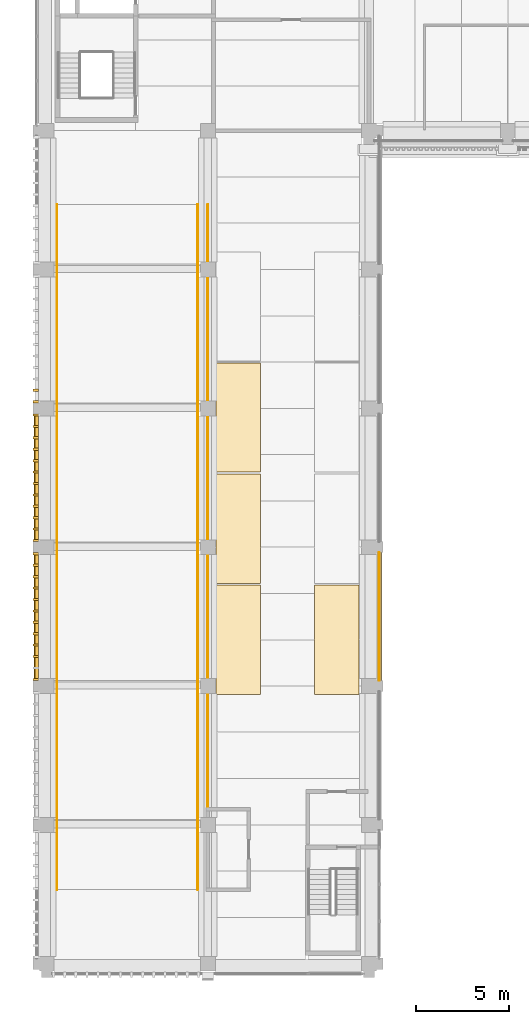
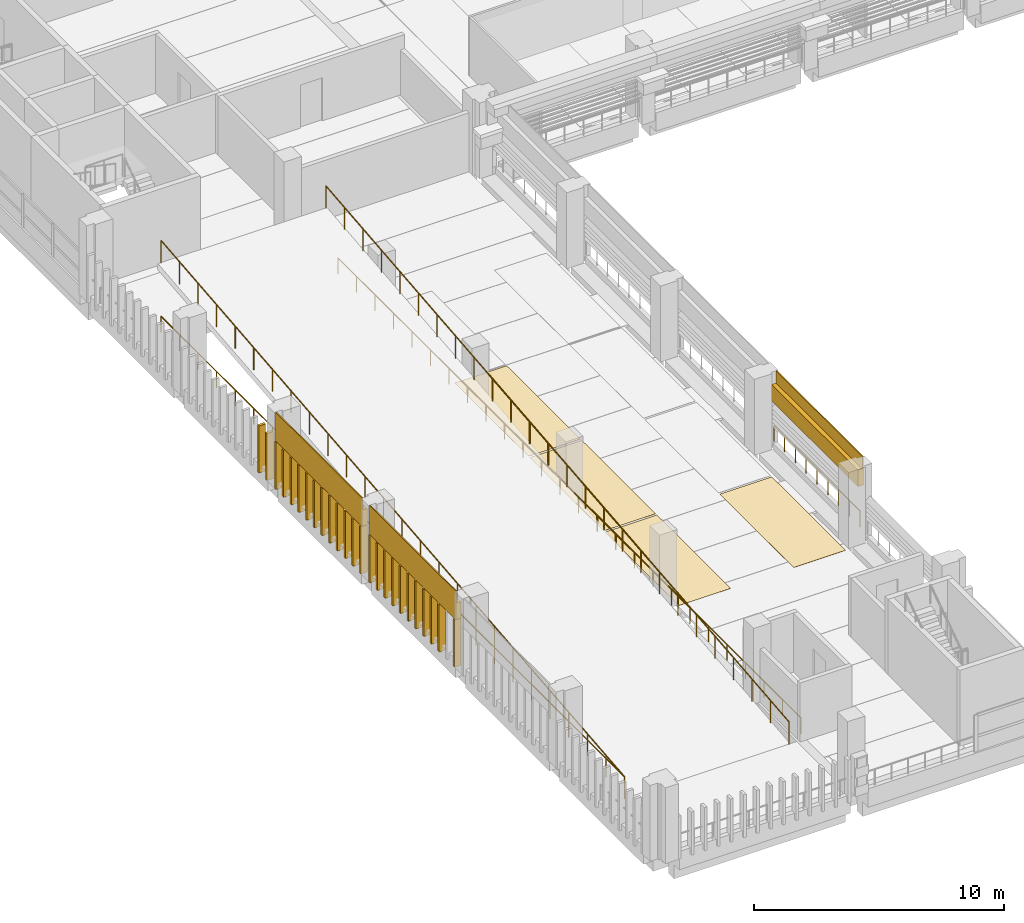
# One storey, part 40 of 71: 32 coverings, 5 railings.
"""IFC4 building model written with IfcOpenShell, lengths in metres."""

from ifc_helpers import new_model, si_unit, direction, frame, origin, origin_2d, place, context, subcontext, project, spatial, polyline, circle, outline, extrude, material, layer, layer_set, type_object, element, save


model = new_model("IFC4")

# Units and contexts
model_context = context("Model", 3, precision=1e-05, world=origin(), true_north=direction((0.0, 1.0)))
body_context = subcontext(model_context, "Body", "Model", "MODEL_VIEW")
ifc_project = project(units=[si_unit("LENGTHUNIT", "METRE"), si_unit("AREAUNIT", "SQUARE_METRE"), si_unit("VOLUMEUNIT", "CUBIC_METRE"), si_unit("PLANEANGLEUNIT", "RADIAN"), si_unit("MASSUNIT", "GRAM", prefix="KILO")], contexts=[model_context])

# Site, building, storey
site_placement = place(None, origin())
site = spatial("IfcSite", under=ifc_project, at=site_placement, CompositionType="ELEMENT")
building_placement = place(site_placement, origin())
building = spatial("IfcBuilding", under=site, at=building_placement, Name="Cour d'Honneur Mobility Palace", CompositionType="ELEMENT")
storey_placement = place(building_placement, frame((0.0, 0.0, 15.60009765625)))
storey = spatial("IfcBuildingStorey", under=building, at=storey_placement, Name="L04", CompositionType="ELEMENT", Elevation=15.60009765625)

# Railing
ifc_material_1 = material(Name="Painted steel", Category="steel")
railing_type_1 = type_object("IfcRailingType", Name="Balustrade", PredefinedType="BALUSTRADE", material=ifc_material_1)
railing_1_placement = place(storey_placement, frame((17.949951171875, 15.300048828125, 0.2998046875)))
element("IfcRailing", 1, at=railing_1_placement, inside=storey, type_object=railing_type_1, Name="Balustrade BAL-200", PredefinedType="BALUSTRADE", context=body_context, shape_type="SweptSolid", body=[
    extrude(circle(Radius=0.02392578125, at=origin_2d()), frame((0.0, 0.0, 0.77587890625), z_axis=(0.0, 1.0, 0.0), x_axis=(-1.0, 0.0, 0.0)), (0.0, 0.0, 1.0), 6.89990234375),
    extrude(circle(Radius=0.02099609375, at=origin_2d()), origin(), (0.0, 0.0, 1.0), 0.751953125),
    extrude(circle(Radius=0.02099609375, at=origin_2d()), frame((0.0, 0.862548828125, 0.0)), (0.0, 0.0, 1.0), 0.751953125),
    extrude(circle(Radius=0.02099609375, at=origin_2d()), frame((0.0, 1.72509765625, 0.0)), (0.0, 0.0, 1.0), 0.751953125),
    extrude(circle(Radius=0.02099609375, at=origin_2d()), frame((0.0, 2.58740234375, 0.0)), (0.0, 0.0, 1.0), 0.751953125),
    extrude(circle(Radius=0.02099609375, at=origin_2d()), frame((0.0, 3.449951171875, 0.0)), (0.0, 0.0, 1.0), 0.751953125),
    extrude(circle(Radius=0.02099609375, at=origin_2d()), frame((0.0, 4.3125, 0.0)), (0.0, 0.0, 1.0), 0.751953125),
    extrude(circle(Radius=0.02099609375, at=origin_2d()), frame((0.0, 5.1748046875, 0.0)), (0.0, 0.0, 1.0), 0.751953125),
    extrude(circle(Radius=0.02099609375, at=origin_2d()), frame((0.0, 6.037353515625, 0.0)), (0.0, 0.0, 1.0), 0.751953125),
    extrude(circle(Radius=0.02099609375, at=origin_2d()), frame((0.0, 6.89990234375, 0.0)), (0.0, 0.0, 1.0), 0.751953125),
])

# Coverings
ifc_material_2 = material(Name="Parking marking paint")
ifc_layer_1 = layer(ifc_material_2, 0.0048828125)
ifc_layer_set_1 = layer_set([ifc_layer_1], Name="Parking marking paint")
covering_type_1 = type_object("IfcCoveringType", Name="Parking bay marking", PredefinedType="FLOORING", material=ifc_layer_set_1)
covering_1_placement = place(storey_placement, origin())
element("IfcCovering", 2, at=covering_1_placement, inside=storey, type_object=covering_type_1, Name="Parking bay marking L04 52", PredefinedType="FLOORING", context=body_context, shape_type="SweptSolid", body=[
    extrude(outline(polyline([(11.550048828125, 14.550048828125), (9.14990234375, 14.550048828125), (9.14990234375, 20.449951171875), (11.550048828125, 20.449951171875), (11.550048828125, 14.550048828125)])), origin(), (0.0, 0.0, 1.0), 0.0048828125),
])
covering_2_placement = place(storey_placement, origin())
element("IfcCovering", 3, at=covering_2_placement, inside=storey, type_object=covering_type_1, Name="Parking bay marking L04 53", PredefinedType="FLOORING", context=body_context, shape_type="SweptSolid", body=[
    extrude(outline(polyline([(11.550048828125, 20.550048828125), (9.14990234375, 20.550048828125), (9.14990234375, 26.449951171875), (11.550048828125, 26.449951171875), (11.550048828125, 20.550048828125)])), origin(), (0.0, 0.0, 1.0), 0.0048828125),
])
covering_3_placement = place(storey_placement, origin())
element("IfcCovering", 4, at=covering_3_placement, inside=storey, type_object=covering_type_1, Name="Parking bay marking L04 54", PredefinedType="FLOORING", context=body_context, shape_type="SweptSolid", body=[
    extrude(outline(polyline([(11.550048828125, 26.550048828125), (9.14990234375, 26.550048828125), (9.14990234375, 32.449951171875), (11.550048828125, 32.449951171875), (11.550048828125, 26.550048828125)])), origin(), (0.0, 0.0, 1.0), 0.0048828125),
])
covering_4_placement = place(storey_placement, origin())
element("IfcCovering", 5, at=covering_4_placement, inside=storey, type_object=covering_type_1, Name="Parking bay marking L04 56", PredefinedType="FLOORING", context=body_context, shape_type="SweptSolid", body=[
    extrude(outline(polyline([(16.85009765625, 14.550048828125), (14.449951171875, 14.550048828125), (14.449951171875, 20.449951171875), (16.85009765625, 20.449951171875), (16.85009765625, 14.550048828125)])), origin(), (0.0, 0.0, 1.0), 0.0048828125),
])

# Railings
ifc_material_3 = material(Name="Painted steel", Category="steel")
railing_type_2 = type_object("IfcRailingType", Name="Ramp guard 1100", PredefinedType="GUARDRAIL", material=ifc_material_3)
railing_2_placement = place(storey_placement, frame((0.550048828125, 4.0, 0.0)))
element("IfcRailing", 6, at=railing_2_placement, inside=storey, type_object=railing_type_2, Name="Ramp guard Ramp West 5", PredefinedType="GUARDRAIL", context=body_context, shape_type="SweptSolid", body=[
    extrude(circle(Radius=0.02490234375, at=origin_2d()), frame((0.0, 0.0, 1.0751953125), z_axis=(0.0, 0.995037320222, 0.099502418892), x_axis=(-1.0, 0.0, 0.0)), (0.0, 0.0, 1.0), 37.1845703125),
    extrude(circle(Radius=0.02099609375, at=origin_2d()), origin(), (0.0, 0.0, 1.0), 1.050048828125),
    extrude(circle(Radius=0.02099609375, at=origin_2d()), frame((0.0, 1.47998046875, 0.14794921875)), (0.0, 0.0, 1.0), 1.050048828125),
    extrude(circle(Radius=0.02099609375, at=origin_2d()), frame((0.0, 2.9599609375, 0.2958984375)), (0.0, 0.0, 1.0), 1.050048828125),
    extrude(circle(Radius=0.02099609375, at=origin_2d()), frame((0.0, 4.43994140625, 0.444091796875)), (0.0, 0.0, 1.0), 1.050048828125),
    extrude(circle(Radius=0.02099609375, at=origin_2d()), frame((0.0, 5.919921875, 0.592041015625)), (0.0, 0.0, 1.0), 1.050048828125),
    extrude(circle(Radius=0.02099609375, at=origin_2d()), frame((0.0, 7.39990234375, 0.739990234375)), (0.0, 0.0, 1.0), 1.050048828125),
    extrude(circle(Radius=0.02099609375, at=origin_2d()), frame((0.0, 8.8798828125, 0.887939453125)), (0.0, 0.0, 1.0), 1.050048828125),
    extrude(circle(Radius=0.02099609375, at=origin_2d()), frame((0.0, 10.360107421875, 1.035888671875)), (0.0, 0.0, 1.0), 1.050048828125),
    extrude(circle(Radius=0.02099609375, at=origin_2d()), frame((0.0, 11.840087890625, 1.18408203125)), (0.0, 0.0, 1.0), 1.050048828125),
    extrude(circle(Radius=0.02099609375, at=origin_2d()), frame((0.0, 13.320068359375, 1.33203125)), (0.0, 0.0, 1.0), 1.050048828125),
    extrude(circle(Radius=0.02099609375, at=origin_2d()), frame((0.0, 14.800048828125, 1.47998046875)), (0.0, 0.0, 1.0), 1.050048828125),
    extrude(circle(Radius=0.02099609375, at=origin_2d()), frame((0.0, 16.280029296875, 1.6279296875)), (0.0, 0.0, 1.0), 1.050048828125),
    extrude(circle(Radius=0.02099609375, at=origin_2d()), frame((0.0, 17.760009765625, 1.77587890625)), (0.0, 0.0, 1.0), 1.050048828125),
    extrude(circle(Radius=0.02099609375, at=origin_2d()), frame((0.0, 19.239990234375, 1.924072265625)), (0.0, 0.0, 1.0), 1.050048828125),
    extrude(circle(Radius=0.02099609375, at=origin_2d()), frame((0.0, 20.719970703125, 2.072021484375)), (0.0, 0.0, 1.0), 1.050048828125),
    extrude(circle(Radius=0.02099609375, at=origin_2d()), frame((0.0, 22.199951171875, 2.219970703125)), (0.0, 0.0, 1.0), 1.050048828125),
    extrude(circle(Radius=0.02099609375, at=origin_2d()), frame((0.0, 23.679931640625, 2.367919921875)), (0.0, 0.0, 1.0), 1.050048828125),
    extrude(circle(Radius=0.02099609375, at=origin_2d()), frame((0.0, 25.159912109375, 2.515869140625)), (0.0, 0.0, 1.0), 1.050048828125),
    extrude(circle(Radius=0.02099609375, at=origin_2d()), frame((0.0, 26.639892578125, 2.6640625)), (0.0, 0.0, 1.0), 1.050048828125),
    extrude(circle(Radius=0.02099609375, at=origin_2d()), frame((0.0, 28.1201171875, 2.81201171875)), (0.0, 0.0, 1.0), 1.050048828125),
    extrude(circle(Radius=0.02099609375, at=origin_2d()), frame((0.0, 29.60009765625, 2.9599609375)), (0.0, 0.0, 1.0), 1.050048828125),
    extrude(circle(Radius=0.02099609375, at=origin_2d()), frame((0.0, 31.080078125, 3.10791015625)), (0.0, 0.0, 1.0), 1.050048828125),
    extrude(circle(Radius=0.02099609375, at=origin_2d()), frame((0.0, 32.56005859375, 3.255859375)), (0.0, 0.0, 1.0), 1.050048828125),
    extrude(circle(Radius=0.02099609375, at=origin_2d()), frame((0.0, 34.0400390625, 3.404052734375)), (0.0, 0.0, 1.0), 1.050048828125),
    extrude(circle(Radius=0.02099609375, at=origin_2d()), frame((0.0, 35.52001953125, 3.552001953125)), (0.0, 0.0, 1.0), 1.050048828125),
    extrude(circle(Radius=0.02099609375, at=origin_2d()), frame((0.0, 37.0, 3.699951171875)), (0.0, 0.0, 1.0), 1.050048828125),
])
railing_3_placement = place(storey_placement, frame((8.14990234375, 4.0, 0.0)))
element("IfcRailing", 7, at=railing_3_placement, inside=storey, type_object=railing_type_2, Name="Ramp guard Ramp West 5", PredefinedType="GUARDRAIL", context=body_context, shape_type="SweptSolid", body=[
    extrude(circle(Radius=0.02490234375, at=origin_2d()), frame((0.0, 0.0, 1.0751953125), z_axis=(0.0, 0.995037320222, 0.099502418892), x_axis=(-1.0, 0.0, 0.0)), (0.0, 0.0, 1.0), 37.1845703125),
    extrude(circle(Radius=0.02099609375, at=origin_2d()), origin(), (0.0, 0.0, 1.0), 1.050048828125),
    extrude(circle(Radius=0.02099609375, at=origin_2d()), frame((0.0, 1.47998046875, 0.14794921875)), (0.0, 0.0, 1.0), 1.050048828125),
    extrude(circle(Radius=0.02099609375, at=origin_2d()), frame((0.0, 2.9599609375, 0.2958984375)), (0.0, 0.0, 1.0), 1.050048828125),
    extrude(circle(Radius=0.02099609375, at=origin_2d()), frame((0.0, 4.43994140625, 0.444091796875)), (0.0, 0.0, 1.0), 1.050048828125),
    extrude(circle(Radius=0.02099609375, at=origin_2d()), frame((0.0, 5.919921875, 0.592041015625)), (0.0, 0.0, 1.0), 1.050048828125),
    extrude(circle(Radius=0.02099609375, at=origin_2d()), frame((0.0, 7.39990234375, 0.739990234375)), (0.0, 0.0, 1.0), 1.050048828125),
    extrude(circle(Radius=0.02099609375, at=origin_2d()), frame((0.0, 8.8798828125, 0.887939453125)), (0.0, 0.0, 1.0), 1.050048828125),
    extrude(circle(Radius=0.02099609375, at=origin_2d()), frame((0.0, 10.360107421875, 1.035888671875)), (0.0, 0.0, 1.0), 1.050048828125),
    extrude(circle(Radius=0.02099609375, at=origin_2d()), frame((0.0, 11.840087890625, 1.18408203125)), (0.0, 0.0, 1.0), 1.050048828125),
    extrude(circle(Radius=0.02099609375, at=origin_2d()), frame((0.0, 13.320068359375, 1.33203125)), (0.0, 0.0, 1.0), 1.050048828125),
    extrude(circle(Radius=0.02099609375, at=origin_2d()), frame((0.0, 14.800048828125, 1.47998046875)), (0.0, 0.0, 1.0), 1.050048828125),
    extrude(circle(Radius=0.02099609375, at=origin_2d()), frame((0.0, 16.280029296875, 1.6279296875)), (0.0, 0.0, 1.0), 1.050048828125),
    extrude(circle(Radius=0.02099609375, at=origin_2d()), frame((0.0, 17.760009765625, 1.77587890625)), (0.0, 0.0, 1.0), 1.050048828125),
    extrude(circle(Radius=0.02099609375, at=origin_2d()), frame((0.0, 19.239990234375, 1.924072265625)), (0.0, 0.0, 1.0), 1.050048828125),
    extrude(circle(Radius=0.02099609375, at=origin_2d()), frame((0.0, 20.719970703125, 2.072021484375)), (0.0, 0.0, 1.0), 1.050048828125),
    extrude(circle(Radius=0.02099609375, at=origin_2d()), frame((0.0, 22.199951171875, 2.219970703125)), (0.0, 0.0, 1.0), 1.050048828125),
    extrude(circle(Radius=0.02099609375, at=origin_2d()), frame((0.0, 23.679931640625, 2.367919921875)), (0.0, 0.0, 1.0), 1.050048828125),
    extrude(circle(Radius=0.02099609375, at=origin_2d()), frame((0.0, 25.159912109375, 2.515869140625)), (0.0, 0.0, 1.0), 1.050048828125),
    extrude(circle(Radius=0.02099609375, at=origin_2d()), frame((0.0, 26.639892578125, 2.6640625)), (0.0, 0.0, 1.0), 1.050048828125),
    extrude(circle(Radius=0.02099609375, at=origin_2d()), frame((0.0, 28.1201171875, 2.81201171875)), (0.0, 0.0, 1.0), 1.050048828125),
    extrude(circle(Radius=0.02099609375, at=origin_2d()), frame((0.0, 29.60009765625, 2.9599609375)), (0.0, 0.0, 1.0), 1.050048828125),
    extrude(circle(Radius=0.02099609375, at=origin_2d()), frame((0.0, 31.080078125, 3.10791015625)), (0.0, 0.0, 1.0), 1.050048828125),
    extrude(circle(Radius=0.02099609375, at=origin_2d()), frame((0.0, 32.56005859375, 3.255859375)), (0.0, 0.0, 1.0), 1.050048828125),
    extrude(circle(Radius=0.02099609375, at=origin_2d()), frame((0.0, 34.0400390625, 3.404052734375)), (0.0, 0.0, 1.0), 1.050048828125),
    extrude(circle(Radius=0.02099609375, at=origin_2d()), frame((0.0, 35.52001953125, 3.552001953125)), (0.0, 0.0, 1.0), 1.050048828125),
    extrude(circle(Radius=0.02099609375, at=origin_2d()), frame((0.0, 37.0, 3.699951171875)), (0.0, 0.0, 1.0), 1.050048828125),
])

# Coverings
ifc_material_4 = material(Name="Cast limestone", Category="masonry")
ifc_layer_2 = layer(ifc_material_4, 0.1201171875)
ifc_layer_set_2 = layer_set([ifc_layer_2], Name="Cast limestone")
covering_type_2 = type_object("IfcCoveringType", Name="Ramp screen fin", PredefinedType="CLADDING", material=ifc_layer_set_2)
covering_5_placement = place(storey_placement, origin())
element("IfcCovering", 8, at=covering_5_placement, inside=storey, type_object=covering_type_2, Name="Ramp screen fin W11.9 L04 11", PredefinedType="CLADDING", context=body_context, shape_type="SweptSolid", body=[
    extrude(outline(polyline([(-0.449951171875, 31.036376953125), (-0.449951171875, 30.916259765625), (-0.75, 30.916259765625), (-0.75, 31.036376953125), (-0.449951171875, 31.036376953125)])), origin(), (0.0, 0.0, 1.0), 2.2998046875),
])
covering_6_placement = place(storey_placement, origin())
element("IfcCovering", 9, at=covering_6_placement, inside=storey, type_object=covering_type_2, Name="Ramp screen fin W11.9 L04 12", PredefinedType="CLADDING", context=body_context, shape_type="SweptSolid", body=[
    extrude(outline(polyline([(-0.449951171875, 30.419921875), (-0.449951171875, 30.300048828125), (-0.75, 30.300048828125), (-0.75, 30.419921875), (-0.449951171875, 30.419921875)])), origin(), (0.0, 0.0, 1.0), 2.2998046875),
])
covering_7_placement = place(storey_placement, origin())
element("IfcCovering", 10, at=covering_7_placement, inside=storey, type_object=covering_type_2, Name="Ramp screen fin W11.10 L04 1", PredefinedType="CLADDING", context=body_context, shape_type="SweptSolid", body=[
    extrude(outline(polyline([(-0.449951171875, 29.699951171875), (-0.449951171875, 29.580078125), (-0.75, 29.580078125), (-0.75, 29.699951171875), (-0.449951171875, 29.699951171875)])), origin(), (0.0, 0.0, 1.0), 2.2998046875),
])
covering_8_placement = place(storey_placement, origin())
element("IfcCovering", 11, at=covering_8_placement, inside=storey, type_object=covering_type_2, Name="Ramp screen fin W11.10 L04 2", PredefinedType="CLADDING", context=body_context, shape_type="SweptSolid", body=[
    extrude(outline(polyline([(-0.449951171875, 29.083740234375), (-0.449951171875, 28.963623046875), (-0.75, 28.963623046875), (-0.75, 29.083740234375), (-0.449951171875, 29.083740234375)])), origin(), (0.0, 0.0, 1.0), 2.2998046875),
])
covering_9_placement = place(storey_placement, origin())
element("IfcCovering", 12, at=covering_9_placement, inside=storey, type_object=covering_type_2, Name="Ramp screen fin W11.10 L04 3", PredefinedType="CLADDING", context=body_context, shape_type="SweptSolid", body=[
    extrude(outline(polyline([(-0.449951171875, 28.46728515625), (-0.449951171875, 28.34716796875), (-0.75, 28.34716796875), (-0.75, 28.46728515625), (-0.449951171875, 28.46728515625)])), origin(), (0.0, 0.0, 1.0), 2.2998046875),
])
covering_10_placement = place(storey_placement, origin())
element("IfcCovering", 13, at=covering_10_placement, inside=storey, type_object=covering_type_2, Name="Ramp screen fin W11.10 L04 4", PredefinedType="CLADDING", context=body_context, shape_type="SweptSolid", body=[
    extrude(outline(polyline([(-0.449951171875, 27.850830078125), (-0.449951171875, 27.73095703125), (-0.75, 27.73095703125), (-0.75, 27.850830078125), (-0.449951171875, 27.850830078125)])), origin(), (0.0, 0.0, 1.0), 2.2998046875),
])
covering_11_placement = place(storey_placement, origin())
element("IfcCovering", 14, at=covering_11_placement, inside=storey, type_object=covering_type_2, Name="Ramp screen fin W11.10 L04 5", PredefinedType="CLADDING", context=body_context, shape_type="SweptSolid", body=[
    extrude(outline(polyline([(-0.449951171875, 27.234619140625), (-0.449951171875, 27.114501953125), (-0.75, 27.114501953125), (-0.75, 27.234619140625), (-0.449951171875, 27.234619140625)])), origin(), (0.0, 0.0, 1.0), 2.2998046875),
])
covering_12_placement = place(storey_placement, origin())
element("IfcCovering", 15, at=covering_12_placement, inside=storey, type_object=covering_type_2, Name="Ramp screen fin W11.10 L04 6", PredefinedType="CLADDING", context=body_context, shape_type="SweptSolid", body=[
    extrude(outline(polyline([(-0.449951171875, 26.6181640625), (-0.449951171875, 26.498291015625), (-0.75, 26.498291015625), (-0.75, 26.6181640625), (-0.449951171875, 26.6181640625)])), origin(), (0.0, 0.0, 1.0), 2.2998046875),
])
covering_13_placement = place(storey_placement, origin())
element("IfcCovering", 16, at=covering_13_placement, inside=storey, type_object=covering_type_2, Name="Ramp screen fin W11.10 L04 7", PredefinedType="CLADDING", context=body_context, shape_type="SweptSolid", body=[
    extrude(outline(polyline([(-0.449951171875, 26.001708984375), (-0.449951171875, 25.8818359375), (-0.75, 25.8818359375), (-0.75, 26.001708984375), (-0.449951171875, 26.001708984375)])), origin(), (0.0, 0.0, 1.0), 2.2998046875),
])
covering_14_placement = place(storey_placement, origin())
element("IfcCovering", 17, at=covering_14_placement, inside=storey, type_object=covering_type_2, Name="Ramp screen fin W11.10 L04 8", PredefinedType="CLADDING", context=body_context, shape_type="SweptSolid", body=[
    extrude(outline(polyline([(-0.449951171875, 25.385498046875), (-0.449951171875, 25.265380859375), (-0.75, 25.265380859375), (-0.75, 25.385498046875), (-0.449951171875, 25.385498046875)])), origin(), (0.0, 0.0, 1.0), 2.2998046875),
])
covering_15_placement = place(storey_placement, origin())
element("IfcCovering", 18, at=covering_15_placement, inside=storey, type_object=covering_type_2, Name="Ramp screen fin W11.10 L04 9", PredefinedType="CLADDING", context=body_context, shape_type="SweptSolid", body=[
    extrude(outline(polyline([(-0.449951171875, 24.76904296875), (-0.449951171875, 24.649169921875), (-0.75, 24.649169921875), (-0.75, 24.76904296875), (-0.449951171875, 24.76904296875)])), origin(), (0.0, 0.0, 1.0), 2.2998046875),
])
covering_16_placement = place(storey_placement, origin())
element("IfcCovering", 19, at=covering_16_placement, inside=storey, type_object=covering_type_2, Name="Ramp screen fin W11.10 L04 10", PredefinedType="CLADDING", context=body_context, shape_type="SweptSolid", body=[
    extrude(outline(polyline([(-0.449951171875, 24.15283203125), (-0.449951171875, 24.03271484375), (-0.75, 24.03271484375), (-0.75, 24.15283203125), (-0.449951171875, 24.15283203125)])), origin(), (0.0, 0.0, 1.0), 2.2998046875),
])
covering_17_placement = place(storey_placement, origin())
element("IfcCovering", 20, at=covering_17_placement, inside=storey, type_object=covering_type_2, Name="Ramp screen fin W11.10 L04 11", PredefinedType="CLADDING", context=body_context, shape_type="SweptSolid", body=[
    extrude(outline(polyline([(-0.449951171875, 23.536376953125), (-0.449951171875, 23.416259765625), (-0.75, 23.416259765625), (-0.75, 23.536376953125), (-0.449951171875, 23.536376953125)])), origin(), (0.0, 0.0, 1.0), 2.2998046875),
])
covering_18_placement = place(storey_placement, origin())
element("IfcCovering", 21, at=covering_18_placement, inside=storey, type_object=covering_type_2, Name="Ramp screen fin W11.10 L04 12", PredefinedType="CLADDING", context=body_context, shape_type="SweptSolid", body=[
    extrude(outline(polyline([(-0.449951171875, 22.919921875), (-0.449951171875, 22.800048828125), (-0.75, 22.800048828125), (-0.75, 22.919921875), (-0.449951171875, 22.919921875)])), origin(), (0.0, 0.0, 1.0), 2.2998046875),
])
covering_19_placement = place(storey_placement, origin())
element("IfcCovering", 22, at=covering_19_placement, inside=storey, type_object=covering_type_2, Name="Ramp screen fin W11.11 L04 1", PredefinedType="CLADDING", context=body_context, shape_type="SweptSolid", body=[
    extrude(outline(polyline([(-0.449951171875, 22.199951171875), (-0.449951171875, 22.080078125), (-0.75, 22.080078125), (-0.75, 22.199951171875), (-0.449951171875, 22.199951171875)])), origin(), (0.0, 0.0, 1.0), 2.2998046875),
])
covering_20_placement = place(storey_placement, origin())
element("IfcCovering", 23, at=covering_20_placement, inside=storey, type_object=covering_type_2, Name="Ramp screen fin W11.11 L04 2", PredefinedType="CLADDING", context=body_context, shape_type="SweptSolid", body=[
    extrude(outline(polyline([(-0.449951171875, 21.583740234375), (-0.449951171875, 21.463623046875), (-0.75, 21.463623046875), (-0.75, 21.583740234375), (-0.449951171875, 21.583740234375)])), origin(), (0.0, 0.0, 1.0), 2.2998046875),
])
covering_21_placement = place(storey_placement, origin())
element("IfcCovering", 24, at=covering_21_placement, inside=storey, type_object=covering_type_2, Name="Ramp screen fin W11.11 L04 3", PredefinedType="CLADDING", context=body_context, shape_type="SweptSolid", body=[
    extrude(outline(polyline([(-0.449951171875, 20.96728515625), (-0.449951171875, 20.84716796875), (-0.75, 20.84716796875), (-0.75, 20.96728515625), (-0.449951171875, 20.96728515625)])), origin(), (0.0, 0.0, 1.0), 2.2998046875),
])
covering_22_placement = place(storey_placement, origin())
element("IfcCovering", 25, at=covering_22_placement, inside=storey, type_object=covering_type_2, Name="Ramp screen fin W11.11 L04 4", PredefinedType="CLADDING", context=body_context, shape_type="SweptSolid", body=[
    extrude(outline(polyline([(-0.449951171875, 20.350830078125), (-0.449951171875, 20.23095703125), (-0.75, 20.23095703125), (-0.75, 20.350830078125), (-0.449951171875, 20.350830078125)])), origin(), (0.0, 0.0, 1.0), 2.2998046875),
])
covering_23_placement = place(storey_placement, origin())
element("IfcCovering", 26, at=covering_23_placement, inside=storey, type_object=covering_type_2, Name="Ramp screen fin W11.11 L04 5", PredefinedType="CLADDING", context=body_context, shape_type="SweptSolid", body=[
    extrude(outline(polyline([(-0.449951171875, 19.734619140625), (-0.449951171875, 19.614501953125), (-0.75, 19.614501953125), (-0.75, 19.734619140625), (-0.449951171875, 19.734619140625)])), origin(), (0.0, 0.0, 1.0), 2.2998046875),
])
covering_24_placement = place(storey_placement, origin())
element("IfcCovering", 27, at=covering_24_placement, inside=storey, type_object=covering_type_2, Name="Ramp screen fin W11.11 L04 6", PredefinedType="CLADDING", context=body_context, shape_type="SweptSolid", body=[
    extrude(outline(polyline([(-0.449951171875, 19.1181640625), (-0.449951171875, 18.998291015625), (-0.75, 18.998291015625), (-0.75, 19.1181640625), (-0.449951171875, 19.1181640625)])), origin(), (0.0, 0.0, 1.0), 2.2998046875),
])
covering_25_placement = place(storey_placement, origin())
element("IfcCovering", 28, at=covering_25_placement, inside=storey, type_object=covering_type_2, Name="Ramp screen fin W11.11 L04 7", PredefinedType="CLADDING", context=body_context, shape_type="SweptSolid", body=[
    extrude(outline(polyline([(-0.449951171875, 18.501708984375), (-0.449951171875, 18.3818359375), (-0.75, 18.3818359375), (-0.75, 18.501708984375), (-0.449951171875, 18.501708984375)])), origin(), (0.0, 0.0, 1.0), 2.2998046875),
])
covering_26_placement = place(storey_placement, origin())
element("IfcCovering", 29, at=covering_26_placement, inside=storey, type_object=covering_type_2, Name="Ramp screen fin W11.11 L04 8", PredefinedType="CLADDING", context=body_context, shape_type="SweptSolid", body=[
    extrude(outline(polyline([(-0.449951171875, 17.885498046875), (-0.449951171875, 17.765380859375), (-0.75, 17.765380859375), (-0.75, 17.885498046875), (-0.449951171875, 17.885498046875)])), origin(), (0.0, 0.0, 1.0), 2.2998046875),
])
covering_27_placement = place(storey_placement, origin())
element("IfcCovering", 30, at=covering_27_placement, inside=storey, type_object=covering_type_2, Name="Ramp screen fin W11.11 L04 9", PredefinedType="CLADDING", context=body_context, shape_type="SweptSolid", body=[
    extrude(outline(polyline([(-0.449951171875, 17.26904296875), (-0.449951171875, 17.149169921875), (-0.75, 17.149169921875), (-0.75, 17.26904296875), (-0.449951171875, 17.26904296875)])), origin(), (0.0, 0.0, 1.0), 2.2998046875),
])
covering_28_placement = place(storey_placement, origin())
element("IfcCovering", 31, at=covering_28_placement, inside=storey, type_object=covering_type_2, Name="Ramp screen fin W11.11 L04 10", PredefinedType="CLADDING", context=body_context, shape_type="SweptSolid", body=[
    extrude(outline(polyline([(-0.449951171875, 16.65283203125), (-0.449951171875, 16.53271484375), (-0.75, 16.53271484375), (-0.75, 16.65283203125), (-0.449951171875, 16.65283203125)])), origin(), (0.0, 0.0, 1.0), 2.2998046875),
])
covering_29_placement = place(storey_placement, origin())
element("IfcCovering", 32, at=covering_29_placement, inside=storey, type_object=covering_type_2, Name="Ramp screen fin W11.11 L04 12", PredefinedType="CLADDING", context=body_context, shape_type="SweptSolid", body=[
    extrude(outline(polyline([(-0.449951171875, 15.419921875), (-0.449951171875, 15.300048828125), (-0.75, 15.300048828125), (-0.75, 15.419921875), (-0.449951171875, 15.419921875)])), origin(), (0.0, 0.0, 1.0), 2.2998046875),
])
ifc_material_5 = material(Name="Cast limestone", Category="masonry")
ifc_layer_3 = layer(ifc_material_5, 0.25)
ifc_layer_set_3 = layer_set([ifc_layer_3], Name="Cast limestone")
covering_type_3 = type_object("IfcCoveringType", Name="Spandrel cladding", PredefinedType="CLADDING", material=ifc_layer_set_3)
for number, where, z_axis, x_axis, name in (
    (33, (17.85009765625, 15.300048828125, 2.2998046875), (0.0, -1.0, 0.0), (1.0, 0.0, 0.0), "Spandrel cladding SK-277"),
    (34, (-0.449951171875, 29.699951171875, 2.2998046875), (0.0, 1.0, 0.0), (-1.0, 0.0, 0.0), "Spandrel cladding SK-343"),
    (35, (-0.449951171875, 22.199951171875, 2.2998046875), (0.0, 1.0, 0.0), (-1.0, 0.0, 0.0), "Spandrel cladding SK-344"),
):
    element("IfcCovering", number, at=place(storey_placement, frame(where, z_axis=z_axis, x_axis=x_axis)), inside=storey, type_object=covering_type_3, Name=name, PredefinedType="CLADDING", context=body_context, shape_type="SweptSolid", body=[
        extrude(outline(polyline([(0.0, 0.0), (0.25, 0.0), (0.25, 1.400146484375), (0.199951171875, 1.400146484375), (0.199951171875, 0.800048828125), (0.0, 0.800048828125), (0.0, 0.0)])), origin(), (0.0, 0.0, -1.0), 6.89990234375),
    ])

# Railings
ifc_material_6 = material(Name="Painted steel", Category="steel")
railing_type_3 = type_object("IfcRailingType", Name="Void edge guard 1100", PredefinedType="GUARDRAIL", material=ifc_material_6)
railing_4_placement = place(storey_placement, frame((8.699951171875, 4.0, 0.2998046875)))
element("IfcRailing", 36, at=railing_4_placement, inside=storey, type_object=railing_type_3, Name="Void edge guard SW L04", PredefinedType="GUARDRAIL", context=body_context, shape_type="SweptSolid", body=[
    extrude(circle(Radius=0.02490234375, at=origin_2d()), frame((0.0, 0.0, 0.77490234375), z_axis=(0.0, 1.0, 0.0), x_axis=(-1.0, 0.0, 0.0)), (0.0, 0.0, 1.0), 37.0),
    extrude(circle(Radius=0.02099609375, at=origin_2d()), origin(), (0.0, 0.0, 1.0), 0.75),
    extrude(circle(Radius=0.02099609375, at=origin_2d()), frame((0.0, 1.47998046875, 0.0)), (0.0, 0.0, 1.0), 0.75),
    extrude(circle(Radius=0.02099609375, at=origin_2d()), frame((0.0, 2.9599609375, 0.0)), (0.0, 0.0, 1.0), 0.75),
    extrude(circle(Radius=0.02099609375, at=origin_2d()), frame((0.0, 4.43994140625, 0.0)), (0.0, 0.0, 1.0), 0.75),
    extrude(circle(Radius=0.02099609375, at=origin_2d()), frame((0.0, 5.919921875, 0.0)), (0.0, 0.0, 1.0), 0.75),
    extrude(circle(Radius=0.02099609375, at=origin_2d()), frame((0.0, 7.39990234375, 0.0)), (0.0, 0.0, 1.0), 0.75),
    extrude(circle(Radius=0.02099609375, at=origin_2d()), frame((0.0, 8.8798828125, 0.0)), (0.0, 0.0, 1.0), 0.75),
    extrude(circle(Radius=0.02099609375, at=origin_2d()), frame((0.0, 10.360107421875, 0.0)), (0.0, 0.0, 1.0), 0.75),
    extrude(circle(Radius=0.02099609375, at=origin_2d()), frame((0.0, 11.840087890625, 0.0)), (0.0, 0.0, 1.0), 0.75),
    extrude(circle(Radius=0.02099609375, at=origin_2d()), frame((0.0, 13.320068359375, 0.0)), (0.0, 0.0, 1.0), 0.75),
    extrude(circle(Radius=0.02099609375, at=origin_2d()), frame((0.0, 14.800048828125, 0.0)), (0.0, 0.0, 1.0), 0.75),
    extrude(circle(Radius=0.02099609375, at=origin_2d()), frame((0.0, 16.280029296875, 0.0)), (0.0, 0.0, 1.0), 0.75),
    extrude(circle(Radius=0.02099609375, at=origin_2d()), frame((0.0, 17.760009765625, 0.0)), (0.0, 0.0, 1.0), 0.75),
    extrude(circle(Radius=0.02099609375, at=origin_2d()), frame((0.0, 19.239990234375, 0.0)), (0.0, 0.0, 1.0), 0.75),
    extrude(circle(Radius=0.02099609375, at=origin_2d()), frame((0.0, 20.719970703125, 0.0)), (0.0, 0.0, 1.0), 0.75),
    extrude(circle(Radius=0.02099609375, at=origin_2d()), frame((0.0, 22.199951171875, 0.0)), (0.0, 0.0, 1.0), 0.75),
    extrude(circle(Radius=0.02099609375, at=origin_2d()), frame((0.0, 23.679931640625, 0.0)), (0.0, 0.0, 1.0), 0.75),
    extrude(circle(Radius=0.02099609375, at=origin_2d()), frame((0.0, 25.159912109375, 0.0)), (0.0, 0.0, 1.0), 0.75),
    extrude(circle(Radius=0.02099609375, at=origin_2d()), frame((0.0, 26.639892578125, 0.0)), (0.0, 0.0, 1.0), 0.75),
    extrude(circle(Radius=0.02099609375, at=origin_2d()), frame((0.0, 28.1201171875, 0.0)), (0.0, 0.0, 1.0), 0.75),
    extrude(circle(Radius=0.02099609375, at=origin_2d()), frame((0.0, 29.60009765625, 0.0)), (0.0, 0.0, 1.0), 0.75),
    extrude(circle(Radius=0.02099609375, at=origin_2d()), frame((0.0, 31.080078125, 0.0)), (0.0, 0.0, 1.0), 0.75),
    extrude(circle(Radius=0.02099609375, at=origin_2d()), frame((0.0, 32.56005859375, 0.0)), (0.0, 0.0, 1.0), 0.75),
    extrude(circle(Radius=0.02099609375, at=origin_2d()), frame((0.0, 34.0400390625, 0.0)), (0.0, 0.0, 1.0), 0.75),
    extrude(circle(Radius=0.02099609375, at=origin_2d()), frame((0.0, 35.52001953125, 0.0)), (0.0, 0.0, 1.0), 0.75),
    extrude(circle(Radius=0.02099609375, at=origin_2d()), frame((0.0, 37.0, 0.0)), (0.0, 0.0, 1.0), 0.75),
])
railing_5_placement = place(storey_placement, frame((0.550048828125, 4.0, 0.2998046875)))
element("IfcRailing", 37, at=railing_5_placement, inside=storey, type_object=railing_type_3, Name="Void edge guard SW L04", PredefinedType="GUARDRAIL", context=body_context, shape_type="SweptSolid", body=[
    extrude(circle(Radius=0.02490234375, at=origin_2d()), frame((0.0, 0.0, 0.77490234375), z_axis=(0.0, 1.0, 0.0), x_axis=(-1.0, 0.0, 0.0)), (0.0, 0.0, 1.0), 37.0),
    extrude(circle(Radius=0.02099609375, at=origin_2d()), origin(), (0.0, 0.0, 1.0), 0.75),
    extrude(circle(Radius=0.02099609375, at=origin_2d()), frame((0.0, 1.47998046875, 0.0)), (0.0, 0.0, 1.0), 0.75),
    extrude(circle(Radius=0.02099609375, at=origin_2d()), frame((0.0, 2.9599609375, 0.0)), (0.0, 0.0, 1.0), 0.75),
    extrude(circle(Radius=0.02099609375, at=origin_2d()), frame((0.0, 4.43994140625, 0.0)), (0.0, 0.0, 1.0), 0.75),
    extrude(circle(Radius=0.02099609375, at=origin_2d()), frame((0.0, 5.919921875, 0.0)), (0.0, 0.0, 1.0), 0.75),
    extrude(circle(Radius=0.02099609375, at=origin_2d()), frame((0.0, 7.39990234375, 0.0)), (0.0, 0.0, 1.0), 0.75),
    extrude(circle(Radius=0.02099609375, at=origin_2d()), frame((0.0, 8.8798828125, 0.0)), (0.0, 0.0, 1.0), 0.75),
    extrude(circle(Radius=0.02099609375, at=origin_2d()), frame((0.0, 10.360107421875, 0.0)), (0.0, 0.0, 1.0), 0.75),
    extrude(circle(Radius=0.02099609375, at=origin_2d()), frame((0.0, 11.840087890625, 0.0)), (0.0, 0.0, 1.0), 0.75),
    extrude(circle(Radius=0.02099609375, at=origin_2d()), frame((0.0, 13.320068359375, 0.0)), (0.0, 0.0, 1.0), 0.75),
    extrude(circle(Radius=0.02099609375, at=origin_2d()), frame((0.0, 14.800048828125, 0.0)), (0.0, 0.0, 1.0), 0.75),
    extrude(circle(Radius=0.02099609375, at=origin_2d()), frame((0.0, 16.280029296875, 0.0)), (0.0, 0.0, 1.0), 0.75),
    extrude(circle(Radius=0.02099609375, at=origin_2d()), frame((0.0, 17.760009765625, 0.0)), (0.0, 0.0, 1.0), 0.75),
    extrude(circle(Radius=0.02099609375, at=origin_2d()), frame((0.0, 19.239990234375, 0.0)), (0.0, 0.0, 1.0), 0.75),
    extrude(circle(Radius=0.02099609375, at=origin_2d()), frame((0.0, 20.719970703125, 0.0)), (0.0, 0.0, 1.0), 0.75),
    extrude(circle(Radius=0.02099609375, at=origin_2d()), frame((0.0, 22.199951171875, 0.0)), (0.0, 0.0, 1.0), 0.75),
    extrude(circle(Radius=0.02099609375, at=origin_2d()), frame((0.0, 23.679931640625, 0.0)), (0.0, 0.0, 1.0), 0.75),
    extrude(circle(Radius=0.02099609375, at=origin_2d()), frame((0.0, 25.159912109375, 0.0)), (0.0, 0.0, 1.0), 0.75),
    extrude(circle(Radius=0.02099609375, at=origin_2d()), frame((0.0, 26.639892578125, 0.0)), (0.0, 0.0, 1.0), 0.75),
    extrude(circle(Radius=0.02099609375, at=origin_2d()), frame((0.0, 28.1201171875, 0.0)), (0.0, 0.0, 1.0), 0.75),
    extrude(circle(Radius=0.02099609375, at=origin_2d()), frame((0.0, 29.60009765625, 0.0)), (0.0, 0.0, 1.0), 0.75),
    extrude(circle(Radius=0.02099609375, at=origin_2d()), frame((0.0, 31.080078125, 0.0)), (0.0, 0.0, 1.0), 0.75),
    extrude(circle(Radius=0.02099609375, at=origin_2d()), frame((0.0, 32.56005859375, 0.0)), (0.0, 0.0, 1.0), 0.75),
    extrude(circle(Radius=0.02099609375, at=origin_2d()), frame((0.0, 34.0400390625, 0.0)), (0.0, 0.0, 1.0), 0.75),
    extrude(circle(Radius=0.02099609375, at=origin_2d()), frame((0.0, 35.52001953125, 0.0)), (0.0, 0.0, 1.0), 0.75),
    extrude(circle(Radius=0.02099609375, at=origin_2d()), frame((0.0, 37.0, 0.0)), (0.0, 0.0, 1.0), 0.75),
])

save(model, "model.ifc")
